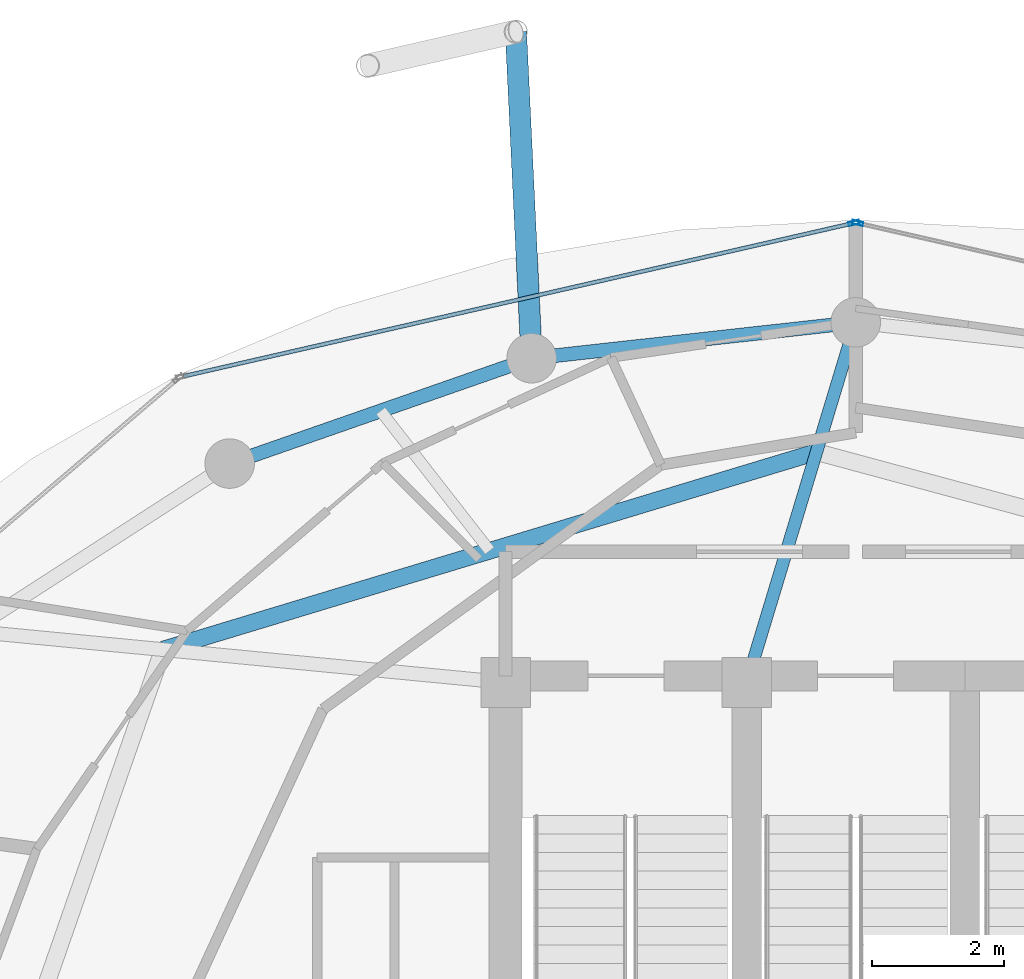
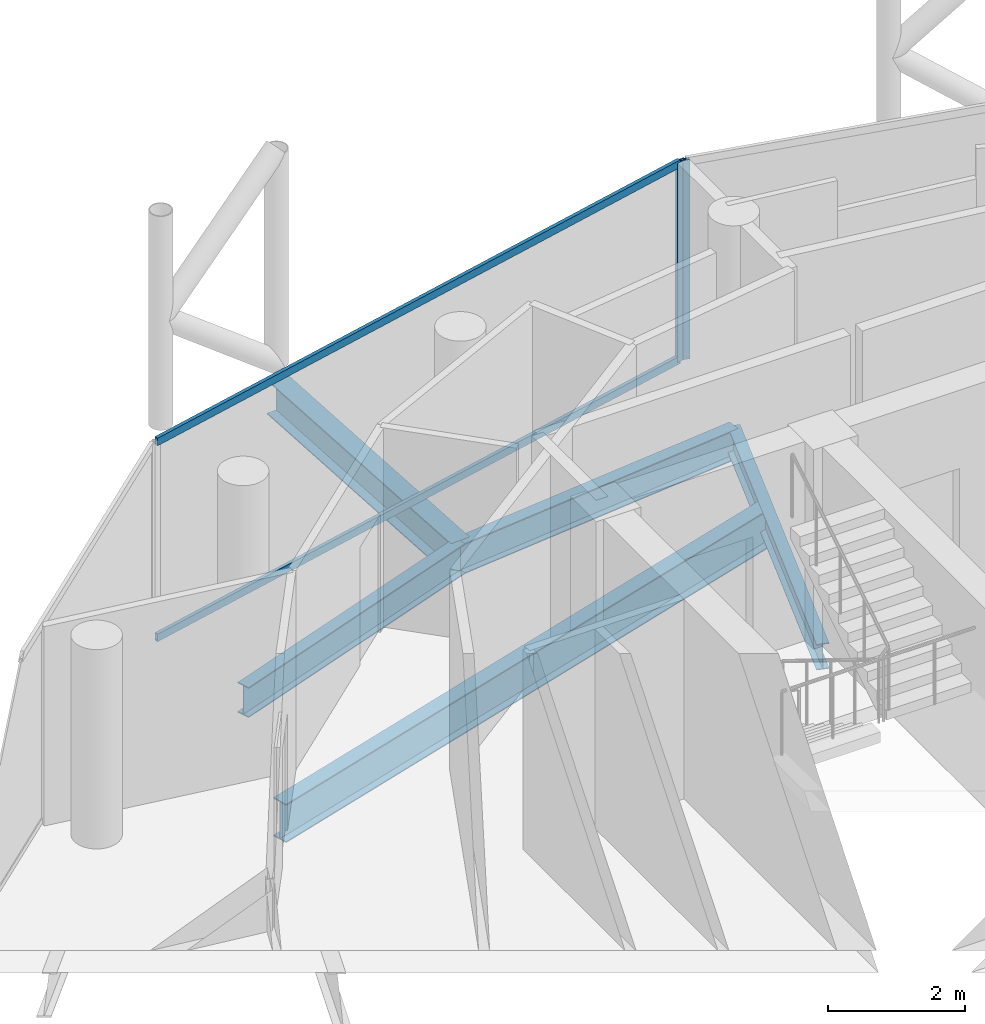
# One storey, part 16 of 24: 5 beams, 4 members, 2 elements without a shape of their own.
"""IFC4 building model written with IfcOpenShell, lengths in metres."""

from ifc_helpers import new_model, si_unit, direction, frame, origin, origin_2d, place, context, subcontext, project, spatial, hollow_rectangle, i_section, extrude, material, layer, layer_set, material_profile, profile_set, type_object, element, aggregate, save


model = new_model("IFC4")

# Units and contexts
model_context = context("Model", 3, precision=1e-05, world=origin(), true_north=direction((0.0, 1.0)))
body_context = subcontext(model_context, "Body", "Model", "MODEL_VIEW")
ifc_project = project(units=[si_unit("LENGTHUNIT", "METRE"), si_unit("AREAUNIT", "SQUARE_METRE"), si_unit("VOLUMEUNIT", "CUBIC_METRE"), si_unit("PLANEANGLEUNIT", "RADIAN"), si_unit("MASSUNIT", "GRAM", prefix="KILO")], contexts=[model_context])

# Site, building, storey
site_placement = place(None, origin())
site = spatial("IfcSite", under=ifc_project, at=site_placement, CompositionType="ELEMENT")
building_placement = place(site_placement, origin())
building = spatial("IfcBuilding", under=site, at=building_placement, Name="Nuhasar Tower", CompositionType="ELEMENT")
storey_placement = place(building_placement, frame((0.0, 0.0, 270.800048828125)))
storey = spatial("IfcBuildingStorey", under=building, at=storey_placement, Name="L67", CompositionType="ELEMENT", Elevation=270.800048828125)

# Beams
ifc_material_1 = material(Name="Steel S355", Category="steel")
ifc_material_profile_1 = material_profile(ifc_material_1, i_section(OverallWidth=0.25390625, OverallDepth=0.68408203125, WebThickness=0.012451171875, FlangeThickness=0.018798828125, at=origin_2d()), Name="W27X94")
ifc_profile_set_1 = profile_set([ifc_material_profile_1], Name="Steel S355")
beam_type_1 = type_object("IfcBeamType", Name="BM-INRING-W27X94", PredefinedType="BEAM", material=ifc_profile_set_1)
beam_1_placement = place(storey_placement, frame((38.406005859375, 40.7880859375, -0.60205078125), z_axis=(-0.957210818407, -0.289391515294, 0.0), x_axis=(0.289391515294, -0.957210818407, 0.0)))
element("IfcBeam", 1, at=beam_1_placement, inside=storey, type_object=beam_type_1, Name="L67 Inner Header Beam 06", PredefinedType="BEAM", context=body_context, shape_type="SweptSolid", body=[
    extrude(i_section(OverallWidth=0.25390625, OverallDepth=0.68408203125, WebThickness=0.012451171875, FlangeThickness=0.018798828125, at=origin_2d()), origin(), (0.0, 0.0, 1.0), 10.33203125),
])
ifc_material_profile_2 = material_profile(ifc_material_1, i_section(OverallWidth=0.18994140625, OverallDepth=0.45703125, WebThickness=0.009033203125, FlangeThickness=0.014404296875, at=origin_2d()), Name="W18X50")
ifc_profile_set_2 = profile_set([ifc_material_profile_2], Name="Steel S355")
beam_type_2 = type_object("IfcBeamType", Name="BM-RAD-W18X50", PredefinedType="BEAM", material=ifc_profile_set_2)
beam_2_placement = place(storey_placement, frame((37.35009765625, 37.300048828125, -0.488037109375), z_axis=(0.289750350206, 0.957102259195, 0.0), x_axis=(-0.957102259195, 0.289750350206, 0.0)))
element("IfcBeam", 2, at=beam_2_placement, inside=storey, type_object=beam_type_2, Name="L67 Radial Floor Girder 06", PredefinedType="BEAM", context=body_context, shape_type="SweptSolid", body=[
    extrude(i_section(OverallWidth=0.18994140625, OverallDepth=0.45703125, WebThickness=0.009033203125, FlangeThickness=0.014404296875, at=origin_2d()), origin(), (0.0, 0.0, 1.0), 5.6943359375),
])
ifc_material_profile_3 = material_profile(ifc_material_1, i_section(OverallWidth=0.2099609375, OverallDepth=0.537109375, WebThickness=0.010986328125, FlangeThickness=0.017333984375, at=origin_2d()), Name="W21X68")
ifc_profile_set_3 = profile_set([ifc_material_profile_3], Name="Steel S355")
beam_type_3 = type_object("IfcBeamType", Name="BM-RING-W21X68", PredefinedType="SPANDREL", material=ifc_profile_set_3)
beam_3_placement = place(storey_placement, frame((39.0, 42.75, -0.528076171875), z_axis=(-0.99392889943, -0.110024283128, 0.0), x_axis=(0.110024283128, -0.99392889943, 0.0)))
element("IfcBeam", 3, at=beam_3_placement, inside=storey, type_object=beam_type_3, Name="L67 Perimeter Ring Spandrel 07", PredefinedType="SPANDREL", context=body_context, shape_type="SweptSolid", body=[
    extrude(i_section(OverallWidth=0.2099609375, OverallDepth=0.537109375, WebThickness=0.010986328125, FlangeThickness=0.017333984375, at=origin_2d()), origin(), (0.0, 0.0, 1.0), 4.93505859375),
])
beam_4_placement = place(storey_placement, frame((34.094970703125, 42.20703125, -0.528076171875), z_axis=(-0.944214043504, -0.329332415729, 0.0), x_axis=(0.329332415729, -0.944214043504, 0.0)))
element("IfcBeam", 4, at=beam_4_placement, inside=storey, type_object=beam_type_3, Name="L67 Perimeter Ring Spandrel 08", PredefinedType="SPANDREL", context=body_context, shape_type="SweptSolid", body=[
    extrude(i_section(OverallWidth=0.2099609375, OverallDepth=0.537109375, WebThickness=0.010986328125, FlangeThickness=0.017333984375, at=origin_2d()), origin(), (0.0, 0.0, 1.0), 4.840087890625),
])
ifc_material_profile_4 = material_profile(ifc_material_1, i_section(OverallWidth=0.323974609375, OverallDepth=0.611083984375, WebThickness=0.0126953125, FlangeThickness=0.01904296875, at=origin_2d()), Name="W24X104")
ifc_profile_set_4 = profile_set([ifc_material_profile_4], Name="Steel S355")
beam_type_4 = type_object("IfcBeamType", Name="BM-TIE-W24X104", PredefinedType="BEAM", material=ifc_profile_set_4)
beam_5_placement = place(storey_placement, frame((34.094970703125, 42.20703125, -0.56494140625), z_axis=(-0.048111398417, 0.998841976162, 0.0), x_axis=(-0.998841976162, -0.048111398417, 0.0)))
element("IfcBeam", 5, at=beam_5_placement, inside=storey, type_object=beam_type_4, Name="L67 Exoskeleton Node Tie Beam 04", PredefinedType="BEAM", context=body_context, shape_type="SweptSolid", body=[
    extrude(i_section(OverallWidth=0.323974609375, OverallDepth=0.611083984375, WebThickness=0.0126953125, FlangeThickness=0.01904296875, at=origin_2d()), origin(), (0.0, 0.0, 1.0), 4.947509765625),
])

# Curtain wall, member
ifc_material_2 = material(Name="Aluminium 6063-T6", Category="aluminium")
ifc_layer = layer(ifc_material_2, 0.18994140625)
ifc_layer_set = layer_set([ifc_layer], Name="Aluminium 6063-T6")
curtain_wall_type = type_object("IfcCurtainWallType", Name="CW-Z4-PEN", PredefinedType="NOTDEFINED", material=ifc_layer_set)
curtain_wall_1_placement = place(storey_placement, origin())
curtain_wall_1 = element("IfcCurtainWall", 6, at=curtain_wall_1_placement, inside=storey, type_object=curtain_wall_type, Name="L67 Unitised Curtain Wall 03", PredefinedType="NOTDEFINED")
ifc_material_profile_5 = material_profile(ifc_material_2, hollow_rectangle(XDim=0.06005859375, YDim=0.1650390625, WallThickness=0.0048828125, at=origin_2d()), Name="CWM-5")
ifc_profile_set_5 = profile_set([ifc_material_profile_5], Name="Aluminium 6063-T6")
member_type_1 = type_object("IfcMemberType", Name="CW-MUL-S5", PredefinedType="MULLION", material=ifc_profile_set_5)
member_1_placement = place(storey_placement, frame((39.029296875, 44.25341796875, 0.0), z_axis=(0.0, 0.0, 1.0), x_axis=(-0.222889487645, -0.97484371891, 0.0)))
member_1 = element("IfcMember", 7, at=member_1_placement, type_object=member_type_1, Name="CW-Z4 mullion 2", PredefinedType="MULLION", context=body_context, shape_type="SweptSolid", body=[
    extrude(hollow_rectangle(XDim=0.06005859375, YDim=0.1650390625, WallThickness=0.0048828125, at=origin_2d()), origin(), (0.0, 0.0, 1.0), 3.5400390625),
])
aggregate(curtain_wall_1, [member_1])

# Curtain wall, members
curtain_wall_2_placement = place(storey_placement, origin())
curtain_wall_2 = element("IfcCurtainWall", 8, at=curtain_wall_2_placement, inside=storey, type_object=curtain_wall_type, Name="L67 Unitised Curtain Wall 04", PredefinedType="NOTDEFINED")
member_2_placement = place(storey_placement, frame((38.970703125, 44.25341796875, 0.0), z_axis=(0.0, 0.0, 1.0), x_axis=(0.222889487645, -0.97484371891, 0.0)))
member_2 = element("IfcMember", 9, at=member_2_placement, type_object=member_type_1, Name="CW-Z4 mullion 1", PredefinedType="MULLION", context=body_context, shape_type="SweptSolid", body=[
    extrude(hollow_rectangle(XDim=0.06005859375, YDim=0.1650390625, WallThickness=0.0048828125, at=origin_2d()), origin(), (0.0, 0.0, 1.0), 3.5400390625),
])
ifc_material_profile_6 = material_profile(ifc_material_2, hollow_rectangle(XDim=0.06005859375, YDim=0.135009765625, WallThickness=0.00439453125, at=origin_2d()), Name="CWT-5")
ifc_profile_set_6 = profile_set([ifc_material_profile_6], Name="Aluminium 6063-T6")
member_type_2 = type_object("IfcMemberType", Name="CW-TRN-S5", PredefinedType="USERDEFINED", material=ifc_profile_set_6)
member_3_placement = place(storey_placement, frame((38.94140625, 44.24658203125, 0.030029296875), z_axis=(-0.974843752401, -0.222889341163, 0.0), x_axis=(0.222889341163, -0.974843752401, 0.0)))
member_3 = element("IfcMember", 10, at=member_3_placement, type_object=member_type_2, Name="CW-Z4 transom 1.1", ObjectType="TRANSOM", PredefinedType="USERDEFINED", context=body_context, shape_type="SweptSolid", body=[
    extrude(hollow_rectangle(XDim=0.06005859375, YDim=0.135009765625, WallThickness=0.00439453125, at=origin_2d()), origin(), (0.0, 0.0, 1.0), 10.3740234375),
])
member_4_placement = place(storey_placement, frame((38.94140625, 44.24658203125, 3.510009765625), z_axis=(-0.974843752401, -0.222889341163, 0.0), x_axis=(0.222889341163, -0.974843752401, 0.0)))
member_4 = element("IfcMember", 11, at=member_4_placement, type_object=member_type_2, Name="CW-Z4 transom 1.2", ObjectType="TRANSOM", PredefinedType="USERDEFINED", context=body_context, shape_type="SweptSolid", body=[
    extrude(hollow_rectangle(XDim=0.06005859375, YDim=0.135009765625, WallThickness=0.00439453125, at=origin_2d()), origin(), (0.0, 0.0, 1.0), 10.3740234375),
])
aggregate(curtain_wall_2, [member_2, member_3, member_4])

save(model, "model.ifc")
